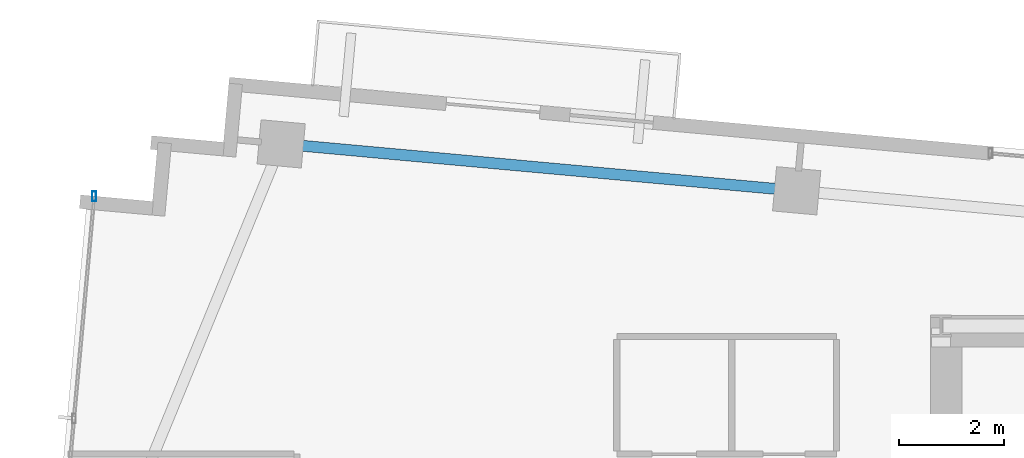
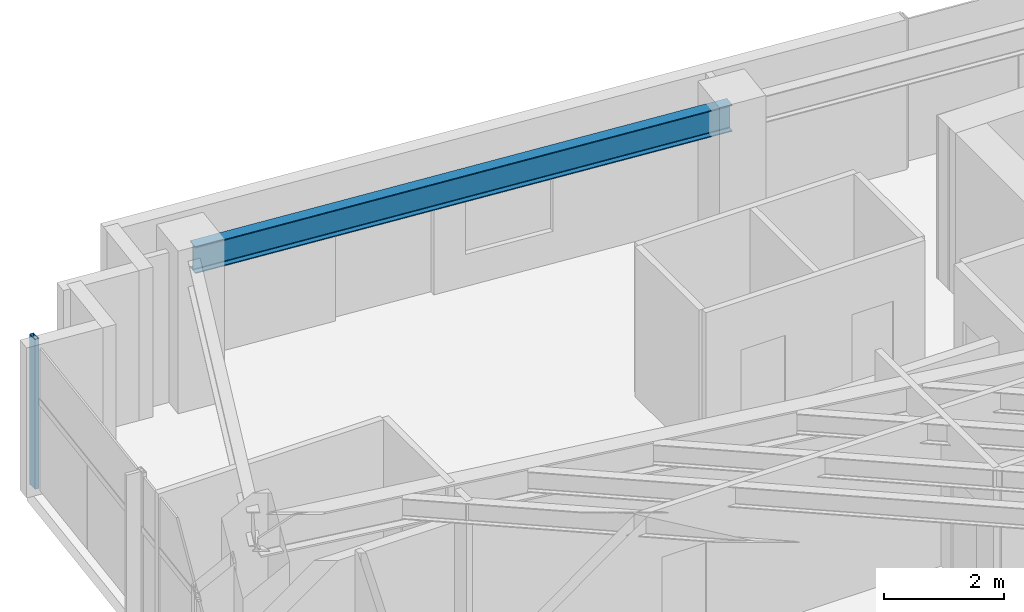
# One storey, part 9 of 22: 1 beam, 1 member, 1 element without a shape of its own.
"""IFC4 building model written with IfcOpenShell, lengths in metres."""

from ifc_helpers import new_model, si_unit, direction, frame, origin, origin_2d, place, context, subcontext, project, spatial, hollow_rectangle, i_section, extrude, source, transform, mapped, material, material_profile, profile_set, type_object, type_shapes, element, aggregate, save


model = new_model("IFC4")

# Units and contexts
model_context = context("Model", 3, precision=1e-05, world=origin(), true_north=direction((0.0, 1.0)))
body_context = subcontext(model_context, "Body", "Model", "MODEL_VIEW")
ifc_project = project(units=[si_unit("LENGTHUNIT", "METRE"), si_unit("AREAUNIT", "SQUARE_METRE"), si_unit("VOLUMEUNIT", "CUBIC_METRE"), si_unit("PLANEANGLEUNIT", "RADIAN"), si_unit("MASSUNIT", "GRAM", prefix="KILO")], contexts=[model_context])

# Site, building, storey
site_placement = place(None, origin())
site = spatial("IfcSite", under=ifc_project, at=site_placement, CompositionType="ELEMENT")
building_placement = place(site_placement, origin())
building = spatial("IfcBuilding", under=site, at=building_placement, Name="Astriad Promenade Condominiums", CompositionType="ELEMENT")
storey_placement = place(building_placement, frame((0.0, 0.0, 252.89990234375)))
storey = spatial("IfcBuildingStorey", under=building, at=storey_placement, Name="L73", CompositionType="ELEMENT", Elevation=252.89990234375)

# Beam
ifc_material_1 = material(Name="Steel ASTM A992 Grade 50", Category="steel")
ifc_material_profile_1 = material_profile(ifc_material_1, i_section(OverallWidth=0.210693359375, OverallDepth=0.53955078125, WebThickness=0.01171875, FlangeThickness=0.018798828125, FilletRadius=0.0166015625, at=origin_2d()), Name="W21X73")
ifc_profile_set_1 = profile_set([ifc_material_profile_1], Name="Steel ASTM A992 Grade 50")
beam_type = type_object("IfcBeamType", Name="STEEL SPANDREL BEAM W21X73", PredefinedType="SPANDREL", material=ifc_profile_set_1)
shared_shape_1 = source(origin(), body_context, "Body", "SweptSolid", [
    extrude(i_section(OverallWidth=0.210693359375, OverallDepth=0.53955078125, WebThickness=0.01171875, FlangeThickness=0.018798828125, FilletRadius=0.0166015625, at=origin_2d()), origin(), (0.0, 0.0, 1.0), 9.820068359375),
])
type_shapes(beam_type, [shared_shape_1])
beam_placement = place(storey_placement, frame((23.6005859375, 26.589111328125, 2.7705078125), z_axis=(-0.995883214993, 0.090645585088, 0.0), x_axis=(-0.090645585088, -0.995883214993, 0.0)))
element("IfcBeam", 1, at=beam_placement, inside=storey, type_object=beam_type, Name="Perimeter Spandrel Beam SP-N1-L73", PredefinedType="SPANDREL", context=body_context, shape_type="MappedRepresentation", body=[
    mapped(shared_shape_1, transform((0.0, 0.0, 0.0), scale=1.0)),
])

# Curtain wall, member
ifc_material_2 = material(Name="Anodised aluminium Black Dark Glass Unitised", Category="aluminium")
curtain_wall_type = type_object("IfcCurtainWallType", Name="CW-B5-DARK", PredefinedType="USERDEFINED", material=ifc_material_2)
curtain_wall_placement = place(storey_placement, origin())
curtain_wall = element("IfcCurtainWall", 2, at=curtain_wall_placement, inside=storey, type_object=curtain_wall_type, Name="CW-L73-W", ObjectType="UNITISED_CURTAIN_WALL", PredefinedType="USERDEFINED")
ifc_material_3 = material(Name="Anodised aluminium 6063-T6 Black", Category="aluminium")
ifc_material_profile_2 = material_profile(ifc_material_3, hollow_rectangle(XDim=0.074951171875, YDim=0.18505859375, WallThickness=0.00439453125, at=origin_2d()), Name="ALU-MUL-75X185")
ifc_profile_set_2 = profile_set([ifc_material_profile_2], Name="Anodised aluminium 6063-T6 Black")
member_type = type_object("IfcMemberType", Name="MUL-ALU-MUL-75X185", PredefinedType="MULLION", material=ifc_profile_set_2)
shared_shape_2 = source(origin(), body_context, "Body", "SweptSolid", [
    extrude(hollow_rectangle(XDim=0.074951171875, YDim=0.18505859375, WallThickness=0.00439453125, at=origin_2d()), origin(), (0.0, 0.0, 1.0), 3.0400390625),
])
type_shapes(member_type, [shared_shape_2])
member_placement = place(storey_placement, frame((10.205810546875, 26.482666015625, 0.0), z_axis=(0.0, 0.0, 1.0), x_axis=(1.0, 0.0, 0.0)))
member = element("IfcMember", 3, at=member_placement, type_object=member_type, Name="CW-L73-W-MUL-03", PredefinedType="MULLION", context=body_context, shape_type="MappedRepresentation", body=[
    mapped(shared_shape_2, transform((0.0, 0.0, 0.0), scale=1.0)),
])
aggregate(curtain_wall, [member])

save(model, "model.ifc")
